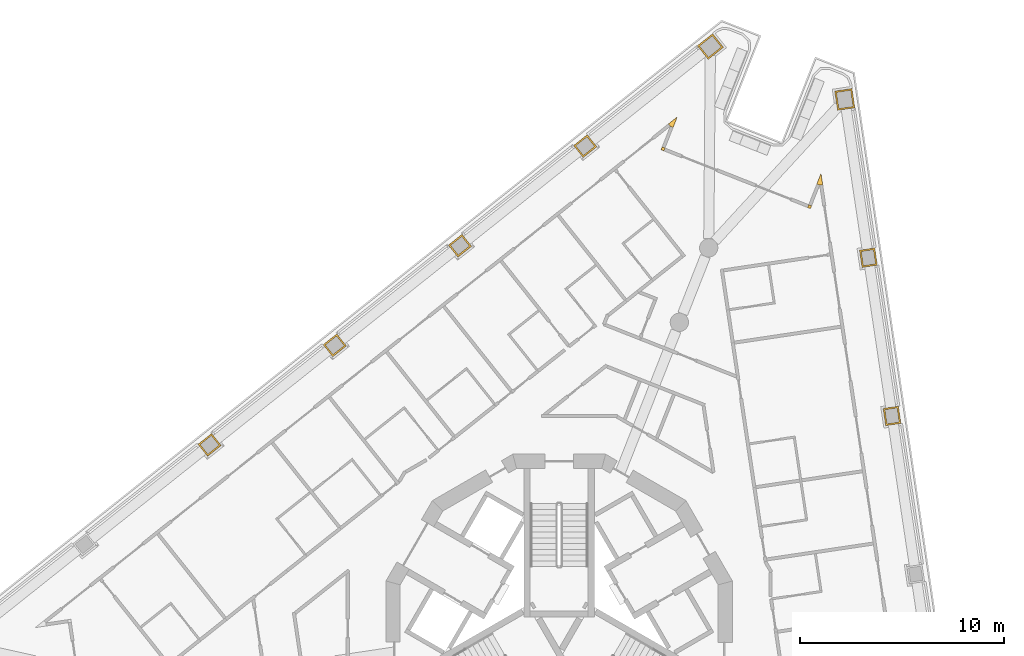
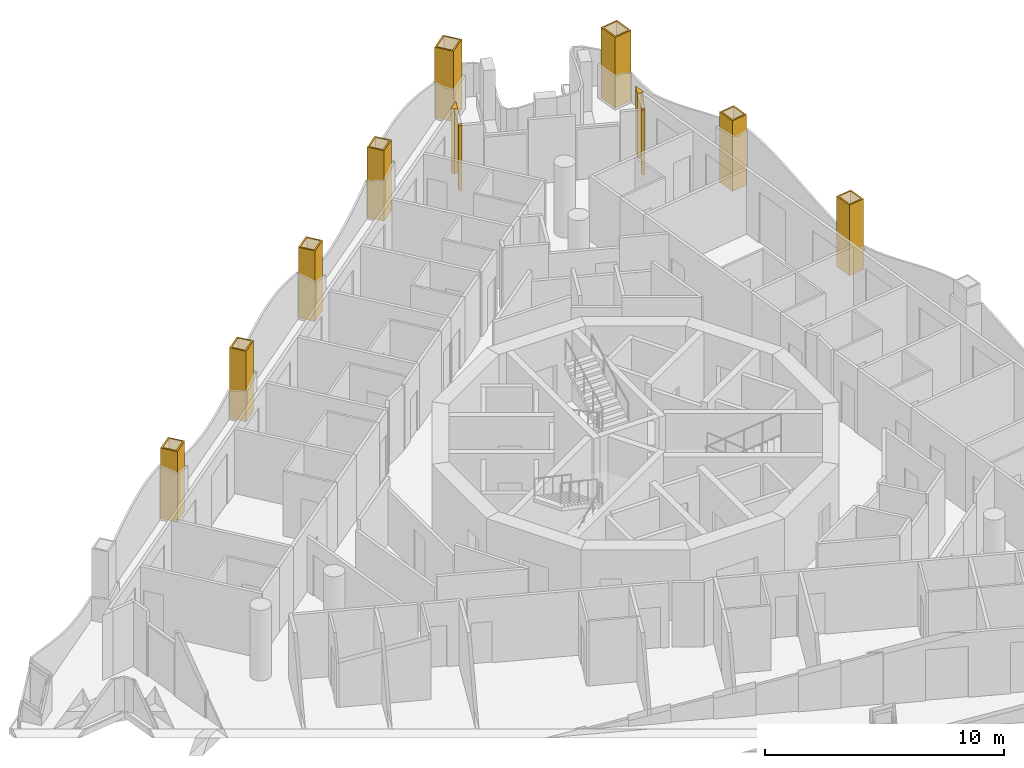
# One storey, part 16 of 17: 12 coverings.
"""IFC4 building model written with IfcOpenShell, lengths in metres."""

from ifc_helpers import new_model, si_unit, direction, frame, origin, place, context, subcontext, project, spatial, polyline, outline, extrude, material, layer, layer_set, type_object, element, save


model = new_model("IFC4")

# Units and contexts
model_context = context("Model", 3, precision=1e-05, world=origin(), true_north=direction((0.0, 1.0)))
body_context = subcontext(model_context, "Body", "Model", "MODEL_VIEW")
ifc_project = project(units=[si_unit("LENGTHUNIT", "METRE"), si_unit("AREAUNIT", "SQUARE_METRE"), si_unit("VOLUMEUNIT", "CUBIC_METRE"), si_unit("PLANEANGLEUNIT", "RADIAN"), si_unit("MASSUNIT", "GRAM", prefix="KILO")], contexts=[model_context])

# Site, building, storey
site_placement = place(None, origin())
site = spatial("IfcSite", under=ifc_project, at=site_placement, CompositionType="ELEMENT")
building_placement = place(site_placement, origin())
building = spatial("IfcBuilding", under=site, at=building_placement, Name="Trine Commons Tower", CompositionType="ELEMENT")
storey_placement = place(building_placement, frame((0.0, 0.0, 216.0)))
storey = spatial("IfcBuildingStorey", under=building, at=storey_placement, Name="L56", CompositionType="ELEMENT", Elevation=216.0)

# Coverings
ifc_material_1 = material(Name="Aluminium-framed insulated wall panel", Category="aluminium")
ifc_layer_1 = layer(ifc_material_1, 0.14990234375)
ifc_layer_set_1 = layer_set([ifc_layer_1], Name="Aluminium-framed insulated wall panel")
covering_type_1 = type_object("IfcCoveringType", Name="Glazing corner post, aluminium", PredefinedType="CLADDING", material=ifc_layer_set_1)
covering_1_placement = place(storey_placement, origin())
element("IfcCovering", 1, at=covering_1_placement, inside=storey, type_object=covering_type_1, Name="Glazing corner post 6-02", PredefinedType="CLADDING", context=body_context, shape_type="SweptSolid", body=[
    extrude(outline(polyline([(85.451416015625, 87.089599609375), (85.451416015625, 87.089599609375), (85.591064453125, 87.03466796875), (85.796142578125, 87.5556640625), (85.358154296875, 87.20703125), (85.451416015625, 87.089599609375)])), origin(), (0.0, 0.0, 1.0), 3.300048828125),
])
covering_2_placement = place(storey_placement, origin())
element("IfcCovering", 2, at=covering_2_placement, inside=storey, type_object=covering_type_1, Name="Glazing corner post 6-03", PredefinedType="CLADDING", context=body_context, shape_type="SweptSolid", body=[
    extrude(outline(polyline([(85.13818359375, 85.885009765625), (85.193115234375, 86.0244140625), (85.0537109375, 86.07958984375), (84.99853515625, 85.93994140625), (85.13818359375, 85.885009765625)])), origin(), (0.0, 0.0, 1.0), 3.300048828125),
])
covering_3_placement = place(storey_placement, origin())
element("IfcCovering", 3, at=covering_3_placement, inside=storey, type_object=covering_type_1, Name="Glazing corner post 6-04", PredefinedType="CLADDING", context=body_context, shape_type="SweptSolid", body=[
    extrude(outline(polyline([(92.190673828125, 83.10693359375), (92.330322265625, 83.052001953125), (92.38525390625, 83.19140625), (92.24560546875, 83.246337890625), (92.190673828125, 83.10693359375)])), origin(), (0.0, 0.0, 1.0), 3.300048828125),
])
covering_4_placement = place(storey_placement, origin())
element("IfcCovering", 4, at=covering_4_placement, inside=storey, type_object=covering_type_1, Name="Glazing corner post 6-05", PredefinedType="CLADDING", context=body_context, shape_type="SweptSolid", body=[
    extrude(outline(polyline([(92.6435546875, 84.256591796875), (92.783203125, 84.20166015625), (92.931396484375, 84.223876953125), (92.848876953125, 84.777587890625), (92.6435546875, 84.256591796875)])), origin(), (0.0, 0.0, 1.0), 3.300048828125),
])
ifc_material_2 = material(Name="Limestone, honed", Category="masonry")
ifc_layer_2 = layer(ifc_material_2, 0.074951171875)
ifc_layer_set_2 = layer_set([ifc_layer_2], Name="Limestone, honed")
covering_type_2 = type_object("IfcCoveringType", Name="Limestone column cladding 75", PredefinedType="CLADDING", material=ifc_layer_set_2)
covering_5_placement = place(storey_placement, origin())
element("IfcCovering", 5, at=covering_5_placement, inside=storey, type_object=covering_type_2, Name="Limestone pier cladding 6-10", PredefinedType="CLADDING", context=body_context, shape_type="SweptSolid", body=[
    extrude(outline(polyline([(63.40966796875, 71.4287109375), (62.942626953125, 72.015625), (62.27734375, 71.486572265625), (62.744384765625, 70.899658203125), (63.40966796875, 71.4287109375)]), holes=[polyline([(63.30419921875, 71.440673828125), (62.9306640625, 71.910400390625), (62.3828125, 71.474609375), (62.75634765625, 71.0048828125), (63.30419921875, 71.440673828125)])]), origin(), (0.0, 0.0, 1.0), 3.60009765625),
])
covering_6_placement = place(storey_placement, origin())
element("IfcCovering", 6, at=covering_6_placement, inside=storey, type_object=covering_type_2, Name="Limestone pier cladding 6-11", PredefinedType="CLADDING", context=body_context, shape_type="SweptSolid", body=[
    extrude(outline(polyline([(69.553466796875, 76.31591796875), (69.086669921875, 76.902587890625), (68.42138671875, 76.37353515625), (68.88818359375, 75.78662109375), (69.553466796875, 76.31591796875)]), holes=[polyline([(69.447998046875, 76.327880859375), (69.07470703125, 76.79736328125), (68.526611328125, 76.361572265625), (68.900146484375, 75.89208984375), (69.447998046875, 76.327880859375)])]), origin(), (0.0, 0.0, 1.0), 3.60009765625),
])
covering_7_placement = place(storey_placement, origin())
element("IfcCovering", 7, at=covering_7_placement, inside=storey, type_object=covering_type_2, Name="Limestone pier cladding 6-12", PredefinedType="CLADDING", context=body_context, shape_type="SweptSolid", body=[
    extrude(outline(polyline([(75.697509765625, 81.202880859375), (75.230712890625, 81.789794921875), (74.565185546875, 81.2607421875), (75.0322265625, 80.673828125), (75.697509765625, 81.202880859375)]), holes=[polyline([(75.592041015625, 81.21484375), (75.218505859375, 81.6845703125), (74.670654296875, 81.248779296875), (75.044189453125, 80.779052734375), (75.592041015625, 81.21484375)])]), origin(), (0.0, 0.0, 1.0), 3.60009765625),
])
covering_8_placement = place(storey_placement, origin())
element("IfcCovering", 8, at=covering_8_placement, inside=storey, type_object=covering_type_2, Name="Limestone pier cladding 6-13", PredefinedType="CLADDING", context=body_context, shape_type="SweptSolid", body=[
    extrude(outline(polyline([(81.84130859375, 86.090087890625), (81.37451171875, 86.677001953125), (80.709228515625, 86.147705078125), (81.176025390625, 85.560791015625), (81.84130859375, 86.090087890625)]), holes=[polyline([(81.736083984375, 86.10205078125), (81.362548828125, 86.571533203125), (80.814697265625, 86.1357421875), (81.18798828125, 85.666259765625), (81.736083984375, 86.10205078125)])]), origin(), (0.0, 0.0, 1.0), 3.60009765625),
])
covering_9_placement = place(storey_placement, origin())
element("IfcCovering", 9, at=covering_9_placement, inside=storey, type_object=covering_type_2, Name="Limestone pier cladding 6-14", PredefinedType="CLADDING", context=body_context, shape_type="SweptSolid", body=[
    extrude(outline(polyline([(88.0556640625, 90.968994140625), (87.526611328125, 91.63427734375), (86.782958984375, 91.04296875), (87.31201171875, 90.377685546875), (88.0556640625, 90.968994140625)]), holes=[polyline([(87.9501953125, 90.981201171875), (87.514404296875, 91.52880859375), (86.888427734375, 91.031005859375), (87.32421875, 90.483154296875), (87.9501953125, 90.981201171875)])]), origin(), (0.0, 0.0, 1.0), 3.60009765625),
])
covering_10_placement = place(storey_placement, origin())
element("IfcCovering", 10, at=covering_10_placement, inside=storey, type_object=covering_type_2, Name="Limestone pier cladding 6-15", PredefinedType="CLADDING", context=body_context, shape_type="SweptSolid", body=[
    extrude(outline(polyline([(94.364990234375, 88.9404296875), (93.5244140625, 88.81494140625), (93.664794921875, 87.875244140625), (94.505615234375, 88.0009765625), (94.364990234375, 88.9404296875)]), holes=[polyline([(94.302001953125, 88.855224609375), (93.609619140625, 88.751708984375), (93.72802734375, 87.960693359375), (94.42041015625, 88.06396484375), (94.302001953125, 88.855224609375)])]), origin(), (0.0, 0.0, 1.0), 3.60009765625),
])
covering_11_placement = place(storey_placement, origin())
element("IfcCovering", 11, at=covering_11_placement, inside=storey, type_object=covering_type_2, Name="Limestone pier cladding 6-16", PredefinedType="CLADDING", context=body_context, shape_type="SweptSolid", body=[
    extrude(outline(polyline([(95.4833984375, 81.119384765625), (94.74169921875, 81.00830078125), (94.8671875, 80.167724609375), (95.609130859375, 80.278564453125), (95.4833984375, 81.119384765625)]), holes=[polyline([(95.42041015625, 81.033935546875), (94.826904296875, 80.9453125), (94.930419921875, 80.2529296875), (95.523681640625, 80.341796875), (95.42041015625, 81.033935546875)])]), origin(), (0.0, 0.0, 1.0), 3.60009765625),
])
covering_12_placement = place(storey_placement, origin())
element("IfcCovering", 12, at=covering_12_placement, inside=storey, type_object=covering_type_2, Name="Limestone pier cladding 6-17", PredefinedType="CLADDING", context=body_context, shape_type="SweptSolid", body=[
    extrude(outline(polyline([(96.643798828125, 73.35498046875), (95.902099609375, 73.244140625), (96.027587890625, 72.4033203125), (96.769287109375, 72.514404296875), (96.643798828125, 73.35498046875)]), holes=[polyline([(96.580810546875, 73.269775390625), (95.9873046875, 73.180908203125), (96.0908203125, 72.48876953125), (96.68408203125, 72.577392578125), (96.580810546875, 73.269775390625)])]), origin(), (0.0, 0.0, 1.0), 3.60009765625),
])

save(model, "model.ifc")
